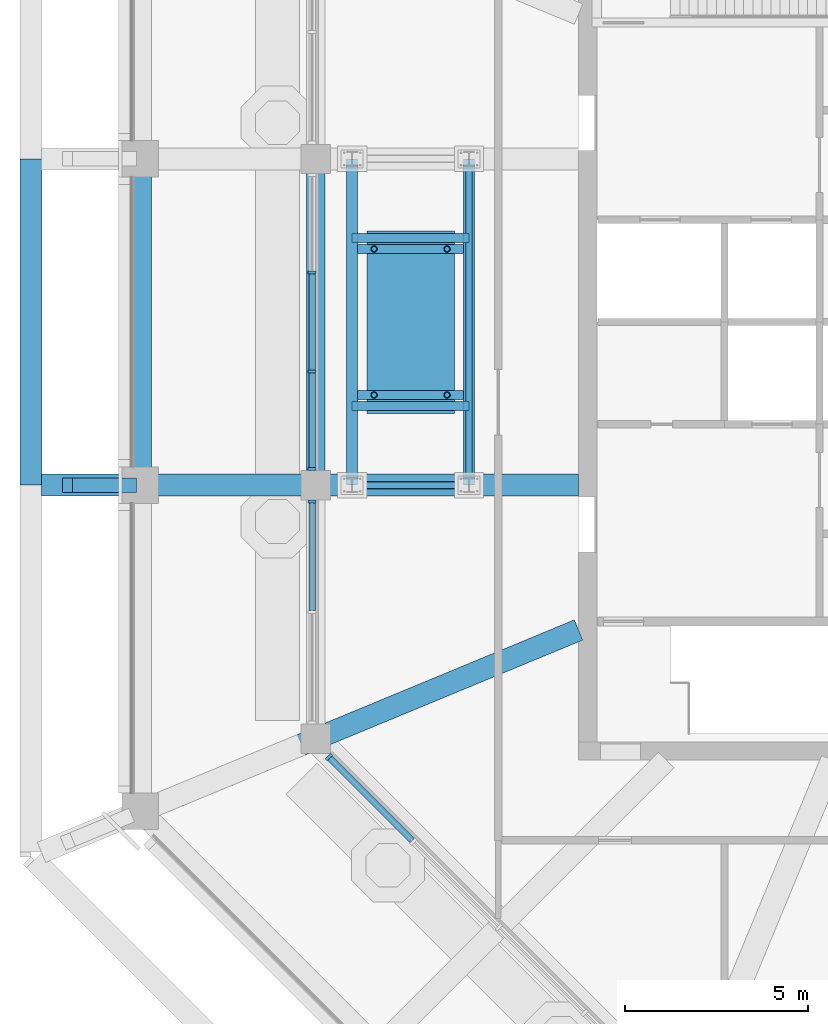
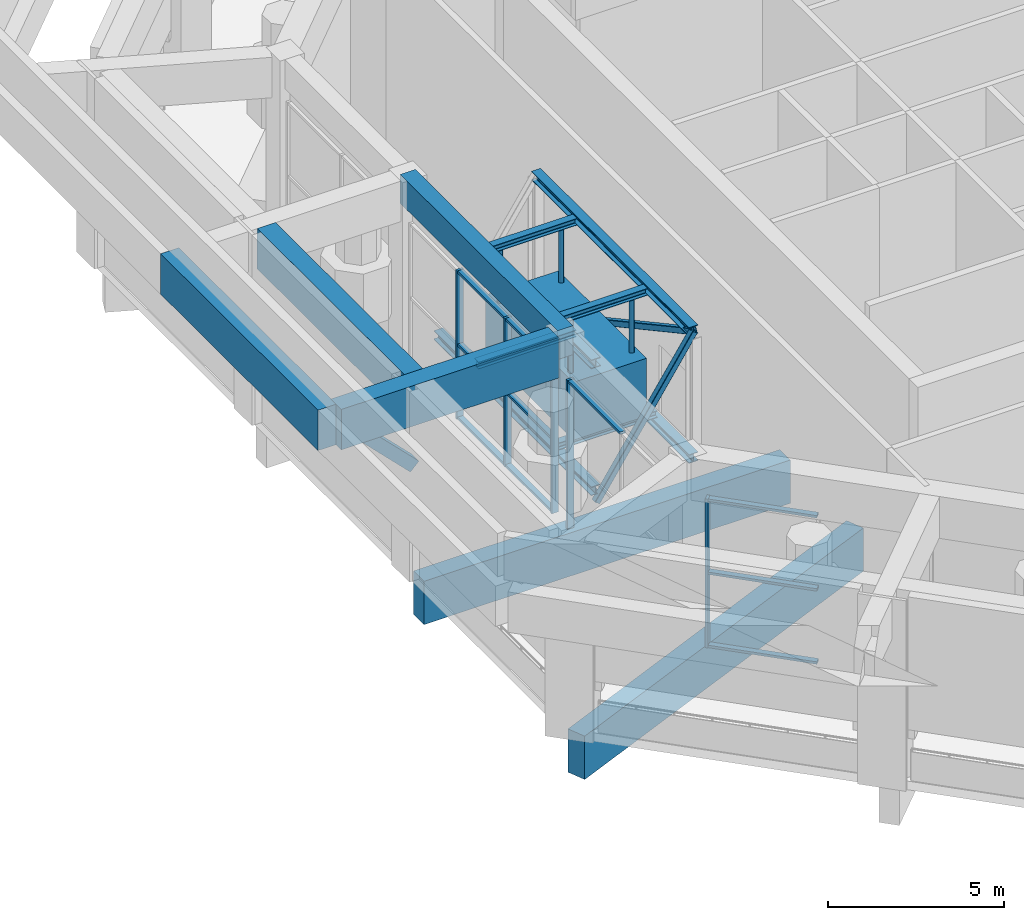
# One storey, part 6 of 29: 23 members, 14 beams, 3 elements without a shape of their own.
"""IFC4 building model written with IfcOpenShell, lengths in metres."""

from ifc_helpers import new_model, si_unit, direction, frame, origin, origin_2d, place, context, subcontext, project, spatial, rectangle, hollow_rectangle, hollow_circle, i_section, extrude, material, material_profile, profile_set, type_object, element, aggregate, save


model = new_model("IFC4")

# Units and contexts
model_context = context("Model", 3, precision=1e-05, world=origin(), true_north=direction((0.0, 1.0)))
body_context = subcontext(model_context, "Body", "Model", "MODEL_VIEW")
ifc_project = project(units=[si_unit("LENGTHUNIT", "METRE"), si_unit("AREAUNIT", "SQUARE_METRE"), si_unit("VOLUMEUNIT", "CUBIC_METRE"), si_unit("PLANEANGLEUNIT", "RADIAN"), si_unit("MASSUNIT", "GRAM", prefix="KILO")], contexts=[model_context])

# Site, building, storey
site_placement = place(None, origin())
site = spatial("IfcSite", under=ifc_project, at=site_placement, CompositionType="ELEMENT")
building_placement = place(site_placement, origin())
building = spatial("IfcBuilding", under=site, at=building_placement, Name="Msitu Wima Residences", CompositionType="ELEMENT")
storey_placement = place(building_placement, frame((0.0, 0.0, 320.10009765625)))
storey = spatial("IfcBuildingStorey", under=building, at=storey_placement, Name="L74", CompositionType="ELEMENT", Elevation=320.10009765625)

# Beam
ifc_material_1 = material(Name="Concrete C60/75", Category="concrete")
ifc_material_profile_1 = material_profile(ifc_material_1, rectangle(XDim=0.60009765625, YDim=1.39990234375, at=origin_2d()), Name="RC 600x1400")
ifc_profile_set_1 = profile_set([ifc_material_profile_1], Name="Concrete C60/75")
beam_type_1 = type_object("IfcBeamType", Name="Canopy cantilever beam CT600x1400", PredefinedType="BEAM", material=ifc_profile_set_1)
beam_1_placement = place(storey_placement, frame((-21.988037109375, -4.46875, 5.89990234375), z_axis=(-1.0, 0.0, 0.0), x_axis=(0.0, -1.0, 0.0)))
element("IfcBeam", 1, at=beam_1_placement, inside=storey, type_object=beam_type_1, Name="Canopy cantilever beam C-W2", PredefinedType="BEAM", context=body_context, shape_type="SweptSolid", body=[
    extrude(rectangle(XDim=0.60009765625, YDim=1.39990234375, at=origin_2d()), origin(), (0.0, 0.0, 1.0), 7.1240234375),
])

# Member
ifc_material_profile_2 = material_profile(ifc_material_1, rectangle(XDim=0.39990234375, YDim=0.39990234375, at=origin_2d()), Name="RC 400x400")
ifc_profile_set_2 = profile_set([ifc_material_profile_2], Name="Concrete C60/75")
member_type_1 = type_object("IfcMemberType", Name="Canopy knee strut KS400", PredefinedType="STRUT", material=ifc_profile_set_2)
member_1_placement = place(storey_placement, frame((-26.64990234375, -4.46875, 3.699951171875), z_axis=(-0.707106781187, 0.0, 0.707106781187), x_axis=(0.0, -1.0, 0.0)))
element("IfcMember", 2, at=member_1_placement, inside=storey, type_object=member_type_1, Name="Canopy knee strut C-W2", PredefinedType="STRUT", context=body_context, shape_type="SweptSolid", body=[
    extrude(rectangle(XDim=0.39990234375, YDim=0.39990234375, at=origin_2d()), origin(), (0.0, 0.0, 1.0), 2.474853515625),
])

# Beam
ifc_material_profile_3 = material_profile(ifc_material_1, rectangle(XDim=0.5, YDim=1.0, at=origin_2d()), Name="RC 500x1000")
ifc_profile_set_3 = profile_set([ifc_material_profile_3], Name="Concrete C60/75")
beam_type_2 = type_object("IfcBeamType", Name="Chamber ring beam CB500x1000", PredefinedType="BEAM", material=ifc_profile_set_3)
beam_2_placement = place(storey_placement, frame((-21.60009765625, 4.46875, 6.099853515625), z_axis=(0.0, -1.0, 0.0), x_axis=(1.0, 0.0, 0.0)))
element("IfcBeam", 3, at=beam_2_placement, inside=storey, type_object=beam_type_2, Name="Chamber ring beam CH9", PredefinedType="BEAM", context=body_context, shape_type="SweptSolid", body=[
    extrude(rectangle(XDim=0.5, YDim=1.0, at=origin_2d()), origin(), (0.0, 0.0, 1.0), 8.9375),
])

# Members
ifc_material_2 = material(Name="Steel S355", Category="steel")
ifc_material_profile_4 = material_profile(ifc_material_2, hollow_circle(Radius=0.084228515625, WallThickness=0.010009765625, at=origin_2d()), Name="CHS 168.3x10")
ifc_profile_set_4 = profile_set([ifc_material_profile_4], Name="Steel S355")
member_type_2 = type_object("IfcMemberType", Name="Damper frame CHS 168.3x10", PredefinedType="MEMBER", material=ifc_profile_set_4)
for number, where, z_axis, x_axis, name in (
    (4, (-18.0, -2.0, 3.039794921875), (0.0, 0.0, 1.0), (1.0, 0.0, 0.0), "Damper hanger W1"),
    (5, (-18.0, 2.0, 3.039794921875), (0.0, 0.0, 1.0), (1.0, 0.0, 0.0), "Damper hanger W2"),
    (6, (-20.0, -2.0, 3.039794921875), (0.0, 0.0, 1.0), (1.0, 0.0, 0.0), "Damper hanger W3"),
    (7, (-20.0, 2.0, 3.039794921875), (0.0, 0.0, 1.0), (1.0, 0.0, 0.0), "Damper hanger W4"),
):
    element("IfcMember", number, at=place(storey_placement, frame(where, z_axis=z_axis, x_axis=x_axis)), inside=storey, type_object=member_type_2, Name=name, PredefinedType="MEMBER", context=body_context, shape_type="SweptSolid", body=[
        extrude(hollow_circle(Radius=0.084228515625, WallThickness=0.010009765625, at=origin_2d()), origin(), (0.0, 0.0, 1.0), 1.860107421875),
    ])

# Beams
ifc_material_profile_5 = material_profile(ifc_material_2, i_section(OverallWidth=0.239990234375, OverallDepth=0.239990234375, WebThickness=0.010009765625, FlangeThickness=0.01708984375, FilletRadius=0.02099609375, at=origin_2d()), Name="HEB 240")
ifc_profile_set_5 = profile_set([ifc_material_profile_5], Name="Steel S355")
beam_type_3 = type_object("IfcBeamType", Name="Damper frame HEB 240", PredefinedType="BEAM", material=ifc_profile_set_5)
for number, where, z_axis, x_axis, name in (
    (8, (-20.60009765625, -2.300048828125, 0.919921875), (1.0, 0.0, 0.0), (0.0, 1.0, 0.0), "Damper frame mass bearer W1"),
    (9, (-20.60009765625, 2.300048828125, 0.919921875), (1.0, 0.0, 0.0), (0.0, 1.0, 0.0), "Damper frame mass bearer W2"),
):
    element("IfcBeam", number, at=place(storey_placement, frame(where, z_axis=z_axis, x_axis=x_axis)), inside=storey, type_object=beam_type_3, Name=name, PredefinedType="BEAM", context=body_context, shape_type="SweptSolid", body=[
        extrude(i_section(OverallWidth=0.239990234375, OverallDepth=0.239990234375, WebThickness=0.010009765625, FlangeThickness=0.01708984375, FilletRadius=0.02099609375, at=origin_2d()), origin(), (0.0, 0.0, 1.0), 3.2001953125),
    ])
for number, where, z_axis, x_axis, name in (
    (10, (-20.449951171875, -2.0, 5.02001953125), (1.0, 0.0, 0.0), (0.0, 1.0, 0.0), "Damper frame cross girder W1"),
    (11, (-20.449951171875, 2.0, 5.02001953125), (1.0, 0.0, 0.0), (0.0, 1.0, 0.0), "Damper frame cross girder W2"),
):
    element("IfcBeam", number, at=place(storey_placement, frame(where, z_axis=z_axis, x_axis=x_axis)), inside=storey, type_object=beam_type_3, Name=name, PredefinedType="BEAM", context=body_context, shape_type="SweptSolid", body=[
        extrude(i_section(OverallWidth=0.239990234375, OverallDepth=0.239990234375, WebThickness=0.010009765625, FlangeThickness=0.01708984375, FilletRadius=0.02099609375, at=origin_2d()), origin(), (0.0, 0.0, 1.0), 2.89990234375),
    ])
ifc_material_profile_6 = material_profile(ifc_material_2, i_section(OverallWidth=0.300048828125, OverallDepth=0.300048828125, WebThickness=0.010986328125, FlangeThickness=0.01904296875, FilletRadius=0.027099609375, at=origin_2d()), Name="HEB 300")
ifc_profile_set_6 = profile_set([ifc_material_profile_6], Name="Steel S355")
beam_type_4 = type_object("IfcBeamType", Name="Damper frame HEB 300", PredefinedType="BEAM", material=ifc_profile_set_6)
for number, where, z_axis, x_axis, name in (
    (12, (-17.39990234375, -4.46875, 5.0498046875), (0.0, 1.0, 0.0), (-1.0, 0.0, 0.0), "Damper frame girder W1"),
    (13, (-20.60009765625, -4.46875, 5.0498046875), (0.0, 1.0, 0.0), (-1.0, 0.0, 0.0), "Damper frame girder W2"),
    (14, (-17.39990234375, -4.46875, 0.64990234375), (0.0, 1.0, 0.0), (-1.0, 0.0, 0.0), "Damper frame lower girder W1"),
    (15, (-20.60009765625, -4.46875, 0.64990234375), (0.0, 1.0, 0.0), (-1.0, 0.0, 0.0), "Damper frame lower girder W2"),
):
    element("IfcBeam", number, at=place(storey_placement, frame(where, z_axis=z_axis, x_axis=x_axis)), inside=storey, type_object=beam_type_4, Name=name, PredefinedType="BEAM", context=body_context, shape_type="SweptSolid", body=[
        extrude(i_section(OverallWidth=0.300048828125, OverallDepth=0.300048828125, WebThickness=0.010986328125, FlangeThickness=0.01904296875, FilletRadius=0.027099609375, at=origin_2d()), origin(), (0.0, 0.0, 1.0), 8.9375),
    ])

# Members
ifc_material_profile_7 = material_profile(ifc_material_2, hollow_rectangle(XDim=0.199951171875, YDim=0.199951171875, WallThickness=0.012451171875, InnerFilletRadius=0.012451171875, OuterFilletRadius=0.02490234375, at=origin_2d()), Name="SHS 200x200x12.5")
ifc_profile_set_7 = profile_set([ifc_material_profile_7], Name="Steel S355")
member_type_3 = type_object("IfcMemberType", Name="Damper frame SHS 200x200x12.5", PredefinedType="BRACE", material=ifc_profile_set_7)
member_2_placement = place(storey_placement, frame((-17.39990234375, 4.46875, 0.19482421875), z_axis=(0.0, -0.878721696521, 0.477334453044), x_axis=(1.0, 0.0, 0.0)))
element("IfcMember", 16, at=member_2_placement, inside=storey, type_object=member_type_3, Name="Damper frame brace W1", PredefinedType="BRACE", context=body_context, shape_type="SweptSolid", body=[
    extrude(hollow_rectangle(XDim=0.199951171875, YDim=0.199951171875, WallThickness=0.012451171875, InnerFilletRadius=0.012451171875, OuterFilletRadius=0.02490234375, at=origin_2d()), origin(), (0.0, 0.0, 1.0), 10.171142578125),
])
member_3_placement = place(storey_placement, frame((-20.60009765625, -4.46875, 0.2548828125), z_axis=(0.555130142442, 0.0, 0.831763503018), x_axis=(0.0, 1.0, 0.0)))
element("IfcMember", 17, at=member_3_placement, inside=storey, type_object=member_type_3, Name="Damper frame brace W2", PredefinedType="BRACE", context=body_context, shape_type="SweptSolid", body=[
    extrude(hollow_rectangle(XDim=0.199951171875, YDim=0.199951171875, WallThickness=0.012451171875, InnerFilletRadius=0.012451171875, OuterFilletRadius=0.02490234375, at=origin_2d()), origin(), (0.0, 0.0, 1.0), 5.7646484375),
])

# Beams
ifc_material_profile_8 = material_profile(ifc_material_1, rectangle(XDim=0.60009765625, YDim=1.5, at=origin_2d()), Name="RC 600x1500")
ifc_profile_set_8 = profile_set([ifc_material_profile_8], Name="Concrete C60/75")
beam_type_5 = type_object("IfcBeamType", Name="Deck girder DG600x1500", PredefinedType="BEAM", material=ifc_profile_set_8)
beam_3_placement = place(storey_placement, frame((-26.39990234375, -4.46875, -1.050048828125), z_axis=(1.0, 0.0, 0.0), x_axis=(0.0, 1.0, 0.0)))
element("IfcBeam", 18, at=beam_3_placement, inside=storey, type_object=beam_type_5, Name="Deck girder C-W2", PredefinedType="BEAM", context=body_context, shape_type="SweptSolid", body=[
    extrude(rectangle(XDim=0.60009765625, YDim=1.5, at=origin_2d()), origin(), (0.0, 0.0, 1.0), 12.0),
])
beam_4_placement = place(storey_placement, frame((-26.39990234375, -13.406005859375, -1.050048828125), z_axis=(0.923875711423, 0.382692657157, 0.0), x_axis=(-0.382692657157, 0.923875711423, 0.0)))
element("IfcBeam", 19, at=beam_4_placement, inside=storey, type_object=beam_type_5, Name="Deck girder C-SW0", PredefinedType="BEAM", context=body_context, shape_type="SweptSolid", body=[
    extrude(rectangle(XDim=0.60009765625, YDim=1.5, at=origin_2d()), origin(), (0.0, 0.0, 1.0), 12.98876953125),
])
ifc_material_profile_9 = material_profile(ifc_material_1, rectangle(XDim=0.60009765625, YDim=1.39990234375, at=origin_2d()), Name="RC 600x1400")
ifc_profile_set_9 = profile_set([ifc_material_profile_9], Name="Concrete C60/75")
beam_type_6 = type_object("IfcBeamType", Name="Fascia beam FB600x1400", PredefinedType="BEAM", material=ifc_profile_set_9)
beam_5_placement = place(storey_placement, frame((-26.39990234375, 4.1806640625, 5.89990234375), z_axis=(0.0, -1.0, 0.0), x_axis=(1.0, 0.0, 0.0)))
element("IfcBeam", 20, at=beam_5_placement, inside=storey, type_object=beam_type_6, Name="Canopy fascia beam C-W1", PredefinedType="BEAM", context=body_context, shape_type="SweptSolid", body=[
    extrude(rectangle(XDim=0.60009765625, YDim=1.39990234375, at=origin_2d()), origin(), (0.0, 0.0, 1.0), 8.361328125),
])
beam_6_placement = place(storey_placement, frame((-29.39990234375, 4.46875, 5.89990234375), z_axis=(0.0, -1.0, 0.0), x_axis=(1.0, 0.0, 0.0)))
element("IfcBeam", 21, at=beam_6_placement, inside=storey, type_object=beam_type_6, Name="Canopy edge fascia beam C-W1", PredefinedType="BEAM", context=body_context, shape_type="SweptSolid", body=[
    extrude(rectangle(XDim=0.60009765625, YDim=1.39990234375, at=origin_2d()), origin(), (0.0, 0.0, 1.0), 8.9375),
])

# Curtain wall, members
ifc_material_3 = material(Name="Anodised aluminium, bronze finish, clear laminated double glazing", Category="aluminium")
curtain_wall_type = type_object("IfcCurtainWallType", Name="Curtain wall CW4 damper chamber wall", PredefinedType="NOTDEFINED", material=ifc_material_3)
curtain_wall_1_placement = place(storey_placement, origin())
curtain_wall_1 = element("IfcCurtainWall", 22, at=curtain_wall_1_placement, inside=storey, type_object=curtain_wall_type, Name="Curtain wall CW4 L74 CH-4b0", PredefinedType="NOTDEFINED")
ifc_material_4 = material(Name="Anodised aluminium, bronze finish", Category="aluminium")
ifc_material_profile_10 = material_profile(ifc_material_4, rectangle(XDim=0.219970703125, YDim=0.0849609375, at=origin_2d()), Name="Mullion 85x220")
ifc_profile_set_10 = profile_set([ifc_material_profile_10], Name="Anodised aluminium, bronze finish")
member_type_4 = type_object("IfcMemberType", Name="Mullion CW4 85x220", PredefinedType="MULLION", material=ifc_profile_set_10)
member_4_placement = place(storey_placement, frame((-21.699951171875, 1.356201171875, 0.0), z_axis=(0.0, 0.0, 1.0), x_axis=(1.0, 0.0, 0.0)))
member_4 = element("IfcMember", 23, at=member_4_placement, type_object=member_type_4, Name="CW4 mullion 2", PredefinedType="MULLION", context=body_context, shape_type="SweptSolid", body=[
    extrude(rectangle(XDim=0.219970703125, YDim=0.0849609375, at=origin_2d()), origin(), (0.0, 0.0, 1.0), 5.14990234375),
])
member_5_placement = place(storey_placement, frame((-21.699951171875, -1.356201171875, 0.0), z_axis=(0.0, 0.0, 1.0), x_axis=(1.0, 0.0, 0.0)))
member_5 = element("IfcMember", 24, at=member_5_placement, type_object=member_type_4, Name="CW4 mullion 3", PredefinedType="MULLION", context=body_context, shape_type="SweptSolid", body=[
    extrude(rectangle(XDim=0.219970703125, YDim=0.0849609375, at=origin_2d()), origin(), (0.0, 0.0, 1.0), 5.14990234375),
])
member_6_placement = place(storey_placement, frame((-21.699951171875, -4.026123046875, 0.0), z_axis=(0.0, 0.0, 1.0), x_axis=(1.0, 0.0, 0.0)))
member_6 = element("IfcMember", 25, at=member_6_placement, type_object=member_type_4, Name="CW4 mullion 4", PredefinedType="MULLION", context=body_context, shape_type="SweptSolid", body=[
    extrude(rectangle(XDim=0.219970703125, YDim=0.0849609375, at=origin_2d()), origin(), (0.0, 0.0, 1.0), 5.14990234375),
])

# Curtain wall, member
curtain_wall_2_placement = place(storey_placement, origin())
curtain_wall_2 = element("IfcCurtainWall", 26, at=curtain_wall_2_placement, inside=storey, type_object=curtain_wall_type, Name="Curtain wall CW4 L74 CH-4c0", PredefinedType="NOTDEFINED")
member_7_placement = place(storey_placement, frame((-21.699951171875, -4.9111328125, 0.0), z_axis=(0.0, 0.0, 1.0), x_axis=(1.0, 0.0, 0.0)))
member_7 = element("IfcMember", 27, at=member_7_placement, type_object=member_type_4, Name="CW4 mullion 1", PredefinedType="MULLION", context=body_context, shape_type="SweptSolid", body=[
    extrude(rectangle(XDim=0.219970703125, YDim=0.0849609375, at=origin_2d()), origin(), (0.0, 0.0, 1.0), 5.14990234375),
])

curtain_wall_3_placement = place(storey_placement, origin())
curtain_wall_3 = element("IfcCurtainWall", 28, at=curtain_wall_3_placement, inside=storey, type_object=curtain_wall_type, Name="Curtain wall CW4 L74 CH-5a0", PredefinedType="NOTDEFINED")
member_8_placement = place(storey_placement, frame((-21.24072265625, -11.91845703125, 0.0), z_axis=(0.0, 0.0, 1.0), x_axis=(0.707106781187, 0.707106781187, 0.0)))
member_8 = element("IfcMember", 29, at=member_8_placement, type_object=member_type_4, Name="CW4 mullion 1", PredefinedType="MULLION", context=body_context, shape_type="SweptSolid", body=[
    extrude(rectangle(XDim=0.219970703125, YDim=0.0849609375, at=origin_2d()), origin(), (0.0, 0.0, 1.0), 5.14990234375),
])

# Member
ifc_material_profile_11 = material_profile(ifc_material_4, rectangle(XDim=0.179931640625, YDim=0.0849609375, at=origin_2d()), Name="Transom 85x180")
ifc_profile_set_11 = profile_set([ifc_material_profile_11], Name="Anodised aluminium, bronze finish")
member_type_5 = type_object("IfcMemberType", Name="Transom CW4 85x180", PredefinedType="USERDEFINED", material=ifc_profile_set_11)
member_9_placement = place(storey_placement, frame((-21.699951171875, 1.313720703125, 0.04248046875), z_axis=(0.0, -1.0, 0.0), x_axis=(1.0, 0.0, 0.0)))
member_9 = element("IfcMember", 30, at=member_9_placement, type_object=member_type_5, Name="CW4 transom 2.1", ObjectType="TRANSOM", PredefinedType="USERDEFINED", context=body_context, shape_type="SweptSolid", body=[
    extrude(rectangle(XDim=0.179931640625, YDim=0.0849609375, at=origin_2d()), origin(), (0.0, 0.0, 1.0), 2.62744140625),
])

member_10_placement = place(storey_placement, frame((-21.699951171875, 1.313720703125, 2.574951171875), z_axis=(0.0, -1.0, 0.0), x_axis=(1.0, 0.0, 0.0)))
member_10 = element("IfcMember", 31, at=member_10_placement, type_object=member_type_5, Name="CW4 transom 2.2", ObjectType="TRANSOM", PredefinedType="USERDEFINED", context=body_context, shape_type="SweptSolid", body=[
    extrude(rectangle(XDim=0.179931640625, YDim=0.0849609375, at=origin_2d()), origin(), (0.0, 0.0, 1.0), 2.62744140625),
])

member_11_placement = place(storey_placement, frame((-21.699951171875, 1.313720703125, 5.107421875), z_axis=(0.0, -1.0, 0.0), x_axis=(1.0, 0.0, 0.0)))
member_11 = element("IfcMember", 32, at=member_11_placement, type_object=member_type_5, Name="CW4 transom 2.3", ObjectType="TRANSOM", PredefinedType="USERDEFINED", context=body_context, shape_type="SweptSolid", body=[
    extrude(rectangle(XDim=0.179931640625, YDim=0.0849609375, at=origin_2d()), origin(), (0.0, 0.0, 1.0), 2.62744140625),
])

member_12_placement = place(storey_placement, frame((-21.699951171875, -1.398681640625, 0.04248046875), z_axis=(0.0, -1.0, 0.0), x_axis=(1.0, 0.0, 0.0)))
member_12 = element("IfcMember", 33, at=member_12_placement, type_object=member_type_5, Name="CW4 transom 3.1", ObjectType="TRANSOM", PredefinedType="USERDEFINED", context=body_context, shape_type="SweptSolid", body=[
    extrude(rectangle(XDim=0.179931640625, YDim=0.0849609375, at=origin_2d()), origin(), (0.0, 0.0, 1.0), 2.5849609375),
])

member_13_placement = place(storey_placement, frame((-21.699951171875, -1.398681640625, 2.574951171875), z_axis=(0.0, -1.0, 0.0), x_axis=(1.0, 0.0, 0.0)))
member_13 = element("IfcMember", 34, at=member_13_placement, type_object=member_type_5, Name="CW4 transom 3.2", ObjectType="TRANSOM", PredefinedType="USERDEFINED", context=body_context, shape_type="SweptSolid", body=[
    extrude(rectangle(XDim=0.179931640625, YDim=0.0849609375, at=origin_2d()), origin(), (0.0, 0.0, 1.0), 2.5849609375),
])

member_14_placement = place(storey_placement, frame((-21.699951171875, -1.398681640625, 5.107421875), z_axis=(0.0, -1.0, 0.0), x_axis=(1.0, 0.0, 0.0)))
member_14 = element("IfcMember", 35, at=member_14_placement, type_object=member_type_5, Name="CW4 transom 3.3", ObjectType="TRANSOM", PredefinedType="USERDEFINED", context=body_context, shape_type="SweptSolid", body=[
    extrude(rectangle(XDim=0.179931640625, YDim=0.0849609375, at=origin_2d()), origin(), (0.0, 0.0, 1.0), 2.5849609375),
])

aggregate(curtain_wall_1, [member_4, member_5, member_6, member_9, member_10, member_11, member_12, member_13, member_14])

member_15_placement = place(storey_placement, frame((-21.699951171875, -4.95361328125, 5.107421875), z_axis=(0.0, -1.0, 0.0), x_axis=(1.0, 0.0, 0.0)))
member_15 = element("IfcMember", 36, at=member_15_placement, type_object=member_type_5, Name="CW4 transom 1.3", ObjectType="TRANSOM", PredefinedType="USERDEFINED", context=body_context, shape_type="SweptSolid", body=[
    extrude(rectangle(XDim=0.179931640625, YDim=0.0849609375, at=origin_2d()), origin(), (0.0, 0.0, 1.0), 2.947021484375),
])

aggregate(curtain_wall_2, [member_7, member_15])

member_16_placement = place(storey_placement, frame((-21.210693359375, -11.948486328125, 0.04248046875), z_axis=(0.707145049717, -0.707068510584, 0.0), x_axis=(0.707068510584, 0.707145049717, 0.0)))
member_16 = element("IfcMember", 37, at=member_16_placement, type_object=member_type_5, Name="CW4 transom 1.1", ObjectType="TRANSOM", PredefinedType="USERDEFINED", context=body_context, shape_type="SweptSolid", body=[
    extrude(rectangle(XDim=0.179931640625, YDim=0.0849609375, at=origin_2d()), origin(), (0.0, 0.0, 1.0), 3.189697265625),
])

member_17_placement = place(storey_placement, frame((-21.210693359375, -11.948486328125, 2.574951171875), z_axis=(0.707145049717, -0.707068510584, 0.0), x_axis=(0.707068510584, 0.707145049717, 0.0)))
member_17 = element("IfcMember", 38, at=member_17_placement, type_object=member_type_5, Name="CW4 transom 1.2", ObjectType="TRANSOM", PredefinedType="USERDEFINED", context=body_context, shape_type="SweptSolid", body=[
    extrude(rectangle(XDim=0.179931640625, YDim=0.0849609375, at=origin_2d()), origin(), (0.0, 0.0, 1.0), 3.189697265625),
])

member_18_placement = place(storey_placement, frame((-21.210693359375, -11.948486328125, 5.107421875), z_axis=(0.707145049717, -0.707068510584, 0.0), x_axis=(0.707068510584, 0.707145049717, 0.0)))
member_18 = element("IfcMember", 39, at=member_18_placement, type_object=member_type_5, Name="CW4 transom 1.3", ObjectType="TRANSOM", PredefinedType="USERDEFINED", context=body_context, shape_type="SweptSolid", body=[
    extrude(rectangle(XDim=0.179931640625, YDim=0.0849609375, at=origin_2d()), origin(), (0.0, 0.0, 1.0), 3.189697265625),
])

aggregate(curtain_wall_3, [member_8, member_16, member_17, member_18])

member_type_6 = type_object("IfcMemberType", Name="Tuned mass TM1", PredefinedType="MEMBER", material=ifc_material_2)
member_19_placement = place(storey_placement, frame((-19.0, 0.0, 1.039794921875), z_axis=(0.0, 0.0, 1.0), x_axis=(1.0, 0.0, 0.0)))
element("IfcMember", 40, at=member_19_placement, inside=storey, type_object=member_type_6, Name="Tuned mass W", PredefinedType="MEMBER", context=body_context, shape_type="SweptSolid", body=[
    extrude(rectangle(XDim=2.39990234375, YDim=5.0, at=origin_2d()), origin(), (0.0, 0.0, 1.0), 2.0),
])

save(model, "model.ifc")
